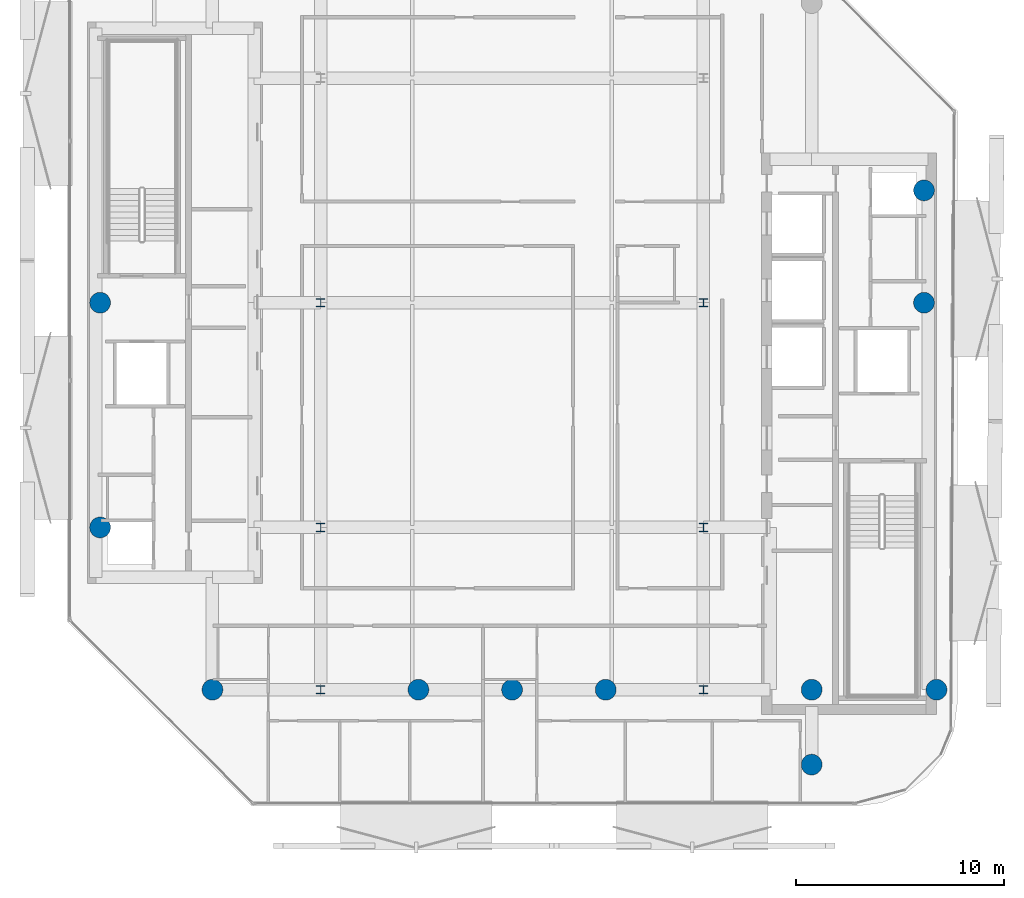
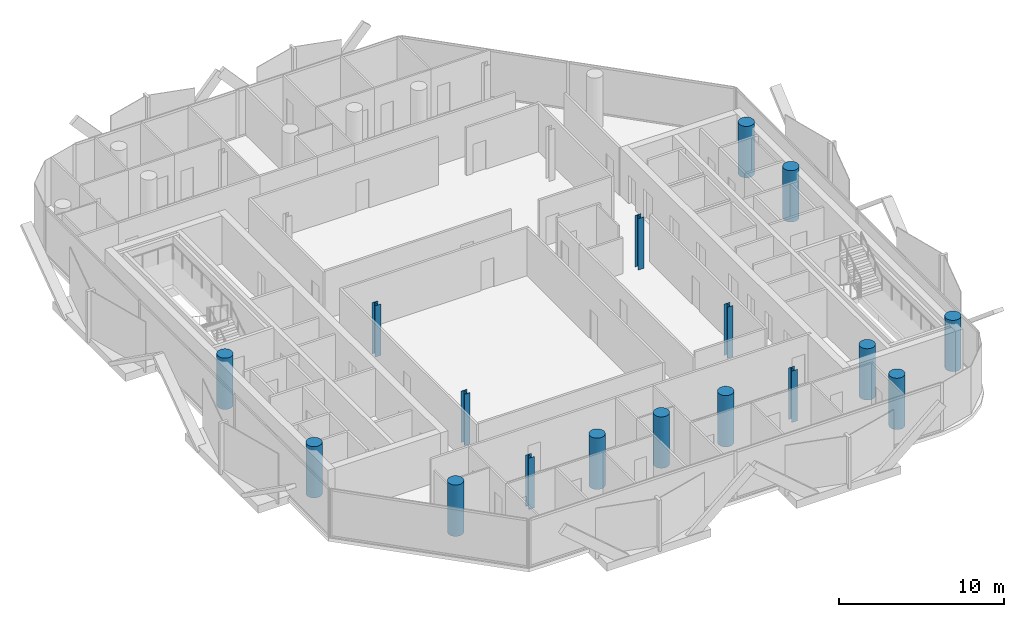
# One storey, part 1 of 17: 17 columns.
"""IFC4 building model written with IfcOpenShell, lengths in metres."""

from ifc_helpers import new_model, si_unit, direction, frame, origin, origin_2d, place, context, subcontext, project, spatial, circle, i_section, extrude, material, material_profile, profile_set, type_object, element, save


model = new_model("IFC4")

# Units and contexts
model_context = context("Model", 3, precision=1e-05, world=origin(), true_north=direction((0.0, 1.0)))
body_context = subcontext(model_context, "Body", "Model", "MODEL_VIEW")
ifc_project = project(units=[si_unit("LENGTHUNIT", "METRE"), si_unit("AREAUNIT", "SQUARE_METRE"), si_unit("VOLUMEUNIT", "CUBIC_METRE"), si_unit("PLANEANGLEUNIT", "RADIAN"), si_unit("MASSUNIT", "GRAM", prefix="KILO")], contexts=[model_context])

# Site, building, storey
site_placement = place(None, origin())
site = spatial("IfcSite", under=ifc_project, at=site_placement, CompositionType="ELEMENT")
building_placement = place(site_placement, origin())
building = spatial("IfcBuilding", under=site, at=building_placement, Name="Khairoan Windgate Tower", CompositionType="ELEMENT")
storey_placement = place(building_placement, frame((0.0, 0.0, 308.0)))
storey = spatial("IfcBuildingStorey", under=building, at=storey_placement, Name="L74", CompositionType="ELEMENT", Elevation=308.0)

# Columns
ifc_material_1 = material(Name="Concrete C60/75", Category="concrete")
ifc_material_profile_1 = material_profile(ifc_material_1, circle(Radius=0.5, at=origin_2d()))
ifc_profile_set_1 = profile_set([ifc_material_profile_1], Name="Concrete C60/75")
column_type_1 = type_object("IfcColumnType", Name="Column C-P1 RC-D1000", PredefinedType="COLUMN", material=ifc_profile_set_1)
for number, where, z_axis, x_axis, name in (
    (1, (20.39990234375, -18.60009765625, 0.0), (0.0, 0.0, 1.0), (1.0, 0.0, 0.0), "Column L74-12"),
    (2, (-14.39990234375, -18.60009765625, 0.0), (0.0, 0.0, 1.0), (1.0, 0.0, 0.0), "Column L74-13"),
    (3, (14.39990234375, -18.60009765625, 0.0), (0.0, 0.0, 1.0), (1.0, 0.0, 0.0), "Column L74-15"),
    (4, (-4.5, -18.60009765625, 0.0), (0.0, 0.0, 1.0), (1.0, 0.0, 0.0), "Column L74-17"),
    (5, (0.0, -18.60009765625, 0.0), (0.0, 0.0, 1.0), (1.0, 0.0, 0.0), "Column L74-18"),
    (6, (4.5, -18.60009765625, 0.0), (0.0, 0.0, 1.0), (1.0, 0.0, 0.0), "Column L74-19"),
    (7, (-19.800048828125, -10.800048828125, 0.0), (0.0, 0.0, 1.0), (1.0, 0.0, 0.0), "Column L74-23"),
    (8, (-19.800048828125, 0.0, 0.0), (0.0, 0.0, 1.0), (1.0, 0.0, 0.0), "Column L74-24"),
    (9, (19.800048828125, 0.0, 0.0), (0.0, 0.0, 1.0), (1.0, 0.0, 0.0), "Column L74-25"),
    (10, (19.800048828125, 5.39990234375, 0.0), (0.0, 0.0, 1.0), (1.0, 0.0, 0.0), "Column L74-26"),
    (11, (14.39990234375, -22.199951171875, 0.0), (0.0, 0.0, 1.0), (1.0, 0.0, 0.0), "Column L74-28"),
):
    element("IfcColumn", number, at=place(storey_placement, frame(where, z_axis=z_axis, x_axis=x_axis)), inside=storey, type_object=column_type_1, Name=name, PredefinedType="COLUMN", context=body_context, shape_type="SweptSolid", body=[
        extrude(circle(Radius=0.5, at=origin_2d()), origin(), (0.0, 0.0, 1.0), 3.800048828125),
    ])
ifc_material_2 = material(Name="Steel S355", Category="steel")
ifc_material_profile_2 = material_profile(ifc_material_2, i_section(OverallWidth=0.39990234375, OverallDepth=0.39990234375, WebThickness=0.012939453125, FlangeThickness=0.02099609375, FilletRadius=0.02197265625, at=origin_2d()))
ifc_profile_set_2 = profile_set([ifc_material_profile_2], Name="Steel S355")
column_type_2 = type_object("IfcColumnType", Name="Steel Column SC4 H400x400x13x21", PredefinedType="COLUMN", material=ifc_profile_set_2)
for number, where, z_axis, x_axis, name in (
    (12, (-9.199951171875, -18.60009765625, 0.0), (0.0, 0.0, 1.0), (1.0, 0.0, 0.0), "Column L74-01"),
    (13, (-9.199951171875, -10.800048828125, 0.0), (0.0, 0.0, 1.0), (1.0, 0.0, 0.0), "Column L74-02"),
    (14, (-9.199951171875, 0.0, 0.0), (0.0, 0.0, 1.0), (1.0, 0.0, 0.0), "Column L74-03"),
    (15, (9.199951171875, -18.60009765625, 0.0), (0.0, 0.0, 1.0), (1.0, 0.0, 0.0), "Column L74-06"),
    (16, (9.199951171875, -10.800048828125, 0.0), (0.0, 0.0, 1.0), (1.0, 0.0, 0.0), "Column L74-07"),
    (17, (9.199951171875, 0.0, 0.0), (0.0, 0.0, 1.0), (1.0, 0.0, 0.0), "Column L74-08"),
):
    element("IfcColumn", number, at=place(storey_placement, frame(where, z_axis=z_axis, x_axis=x_axis)), inside=storey, type_object=column_type_2, Name=name, PredefinedType="COLUMN", context=body_context, shape_type="SweptSolid", body=[
        extrude(i_section(OverallWidth=0.39990234375, OverallDepth=0.39990234375, WebThickness=0.012939453125, FlangeThickness=0.02099609375, FilletRadius=0.02197265625, at=origin_2d()), origin(), (0.0, 0.0, 1.0), 3.800048828125),
    ])

save(model, "model.ifc")
